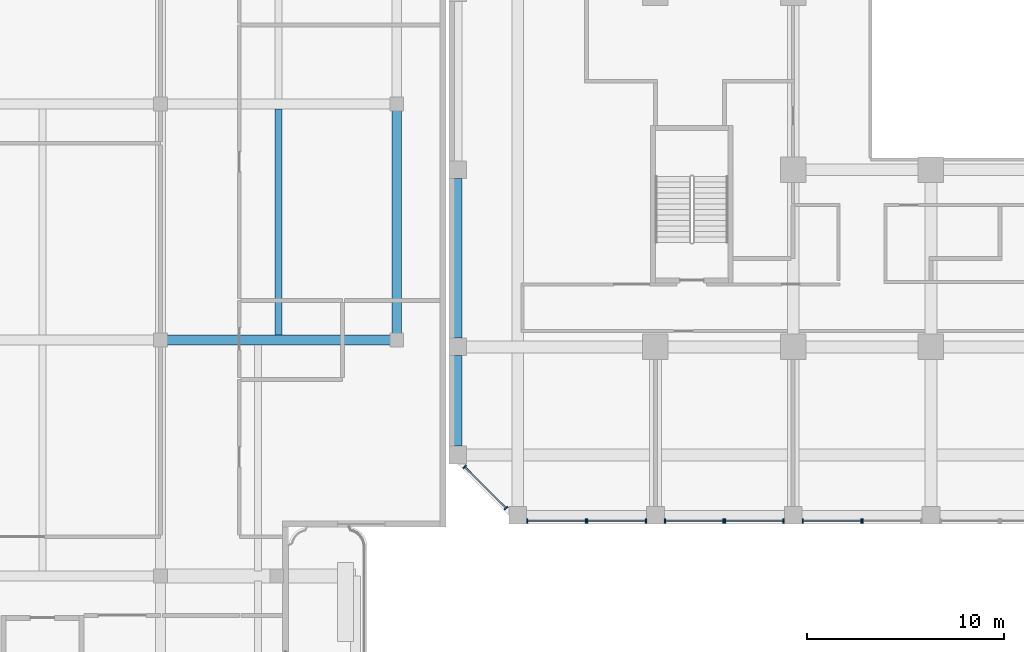
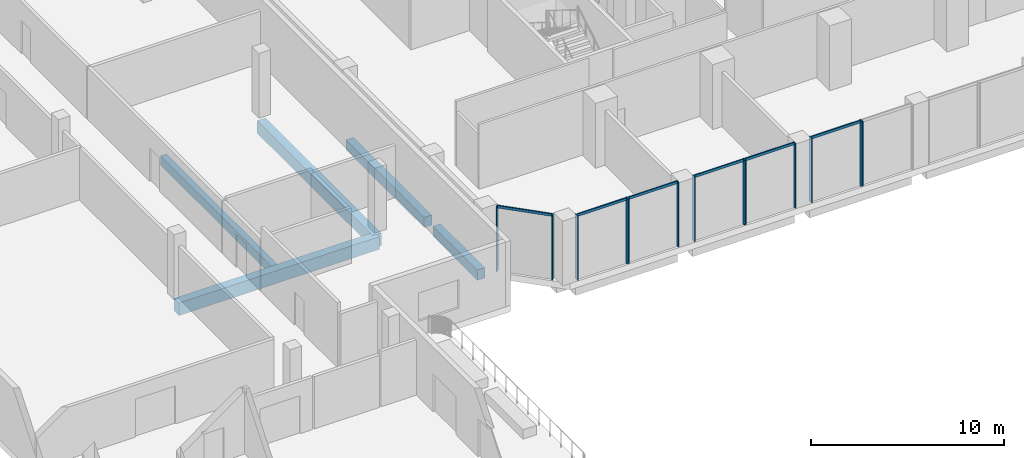
# One storey, part 2 of 36: 19 members, 5 beams, 7 elements without a shape of their own.
"""IFC4 building model written with IfcOpenShell, lengths in metres."""

import ifcopenshell
import ifcopenshell.guid

model = None  # the IFC model being written
_history = None  # IfcOwnerHistory: only IFC2X3 demands one
_inside = {}  # id of a spatial element -> (the spatial element, [elements in it])
_under = {}  # id of a project, library or spatial element -> (it, [spatial elements below it])
_declared = {}  # id of a project -> (the project, [libraries it declares])
_typed = {}  # id of a type object -> (the type object, [elements of that type])
_made_of = {}  # id of a material, layer set ... -> (it, [elements and type objects made of it])


def new_model(schema):
    """Start an empty IFC model of exactly this schema.

    Asked for "IFC4X3", IfcOpenShell would pick the latest addendum, in which some entities
    have other attributes; the version numbers below select the first issue.
    IFC2X3 requires an IfcOwnerHistory on every rooted entity: one is made here for all.
    """
    global model, _history
    if schema == "IFC4X3":
        model = ifcopenshell.file(schema_version=(4, 3, 0, 0))
    else:
        model = ifcopenshell.file(schema=schema)
    _inside.clear()
    _under.clear()
    _declared.clear()
    _typed.clear()
    _made_of.clear()
    _history = None
    if model.schema == "IFC2X3":
        org = make("IfcOrganization", Name="unknown")
        user = make(
            "IfcPersonAndOrganization",
            ThePerson=make("IfcPerson", FamilyName="unknown"),
            TheOrganization=org,
        )
        app = make(
            "IfcApplication",
            ApplicationDeveloper=org,
            Version="unknown",
            ApplicationFullName="unknown",
            ApplicationIdentifier="unknown",
        )
        _history = make(
            "IfcOwnerHistory",
            OwningUser=user,
            OwningApplication=app,
            ChangeAction="ADDED",
            CreationDate=0,
        )
    return model


def make(cls, **values):
    """One entity of the class cls with the attributes given. An attribute that is None is left unset."""
    return model.create_entity(
        cls, **{name: value for name, value in values.items() if value is not None}
    )


def rooted(cls, **values):
    """An entity with a GlobalId (a new one), such as an element, a storey or a relation."""
    return make(cls, GlobalId=ifcopenshell.guid.new(), OwnerHistory=_history, **values)


def si_unit(unit_type, name, prefix=None):
    """IfcSIUnit, for example si_unit("LENGTHUNIT", "METRE", prefix="MILLI")."""
    return make("IfcSIUnit", UnitType=unit_type, Prefix=prefix, Name=name)


def assignment(units):
    """IfcUnitAssignment: the units of a project."""
    return None if units is None else make("IfcUnitAssignment", Units=units)


def point(xyz):
    """IfcCartesianPoint."""
    return None if xyz is None else make("IfcCartesianPoint", Coordinates=xyz)


def direction(xyz):
    """IfcDirection."""
    return None if xyz is None else make("IfcDirection", DirectionRatios=xyz)


def frame(location, z_axis=None, x_axis=None):
    """IfcAxis2Placement3D, a coordinate frame: its origin and axes. An axis left out is left unset."""
    return make(
        "IfcAxis2Placement3D",
        Location=point(location),
        Axis=direction(z_axis),
        RefDirection=direction(x_axis),
    )


def frame_2d(location, x_axis=None):
    """IfcAxis2Placement2D, a coordinate frame in the plane: its origin and x axis."""
    return make(
        "IfcAxis2Placement2D", Location=point(location), RefDirection=direction(x_axis)
    )


def origin():
    """The frame at (0, 0, 0) with its axes left unset."""
    return frame((0.0, 0.0, 0.0))


def origin_2d():
    """The frame at (0, 0) in the plane with its x axis left unset."""
    return frame_2d((0.0, 0.0))


def place(relative_to, where):
    """IfcLocalPlacement: puts the frame where relative to a parent placement (None: the world)."""
    return make(
        "IfcLocalPlacement", PlacementRelTo=relative_to, RelativePlacement=where
    )


def context(
    kind, dimensions, precision=None, world=None, true_north=None, identifier=None
):
    """IfcGeometricRepresentationContext, for example the 3D "Model" context."""
    return make(
        "IfcGeometricRepresentationContext",
        ContextIdentifier=identifier,
        ContextType=kind,
        CoordinateSpaceDimension=dimensions,
        Precision=precision,
        WorldCoordinateSystem=world,
        TrueNorth=true_north,
    )


def subcontext(parent, identifier, kind, view, scale=None):
    """IfcGeometricRepresentationSubContext, for example "Body" below "Model"."""
    return make(
        "IfcGeometricRepresentationSubContext",
        ContextIdentifier=identifier,
        ContextType=kind,
        ParentContext=parent,
        TargetScale=scale,
        TargetView=view,
    )


def project(units=None, contexts=None):
    """IfcProject with its units and contexts."""
    return rooted(
        "IfcProject",
        Name="project",
        RepresentationContexts=contexts,
        UnitsInContext=assignment(units),
    )


def spatial(cls, under=None, at=None, **own):
    """A site, building, storey or space (cls), placed at a placement, below another one or the project."""
    s = rooted(cls, ObjectPlacement=at, **own)
    if under is not None:
        _under.setdefault(under.id(), (under, []))[1].append(s)
    return s


def profile(cls, at=None, kind="AREA", **sizes):
    """A parametric profile (cls). Its sizes go by their IFC names, for example OverallWidth=200.0."""
    return make(cls, ProfileType=kind, Position=at, **sizes)


def rectangle(**sizes):
    """IfcRectangleProfileDef."""
    return profile("IfcRectangleProfileDef", **sizes)


def extrude(swept, where, along, depth):
    """IfcExtrudedAreaSolid: the profile swept, set in the frame where, extruded along a direction by depth."""
    return make(
        "IfcExtrudedAreaSolid",
        SweptArea=swept,
        Position=where,
        ExtrudedDirection=direction(along),
        Depth=depth,
    )


def shape(context_of_items, identifier, shape_type, items):
    """IfcShapeRepresentation: the items that make up one representation, for example the "Body"."""
    return make(
        "IfcShapeRepresentation",
        ContextOfItems=context_of_items,
        RepresentationIdentifier=identifier,
        RepresentationType=shape_type,
        Items=items,
    )


def source(mapping_origin, context_of_items, identifier, shape_type, items):
    """IfcRepresentationMap: a shape defined once, which mapped items show again and again."""
    return make(
        "IfcRepresentationMap",
        MappingOrigin=mapping_origin,
        MappedRepresentation=shape(context_of_items, identifier, shape_type, items),
    )


def transform(
    local_origin,
    x_axis=None,
    y_axis=None,
    z_axis=None,
    scale=None,
    scale2=None,
    scale3=None,
    uniform=True,
):
    """IfcCartesianTransformationOperator3D, or its non-uniform kind. x_axis, y_axis, z_axis: its Axis1, 2, 3."""
    if uniform:
        return make(
            "IfcCartesianTransformationOperator3D",
            Axis1=direction(x_axis),
            Axis2=direction(y_axis),
            LocalOrigin=point(local_origin),
            Scale=scale,
            Axis3=direction(z_axis),
        )
    return make(
        "IfcCartesianTransformationOperator3DnonUniform",
        Axis1=direction(x_axis),
        Axis2=direction(y_axis),
        LocalOrigin=point(local_origin),
        Scale=scale,
        Axis3=direction(z_axis),
        Scale2=scale2,
        Scale3=scale3,
    )


def mapped(mapping_source, mapping_target):
    """IfcMappedItem: shows the shape of a source again, moved by a transform."""
    return make(
        "IfcMappedItem", MappingSource=mapping_source, MappingTarget=mapping_target
    )


def material(Name=None, Category=None):
    """IfcMaterial."""
    return make("IfcMaterial", Name=Name, Category=Category)


def material_profile(
    of_material, cross_section, Name=None, Category=None, Priority=None
):
    """IfcMaterialProfile: a cross section and its material."""
    return make(
        "IfcMaterialProfile",
        Name=Name,
        Material=of_material,
        Profile=cross_section,
        Priority=Priority,
        Category=Category,
    )


def profile_set(profiles, Name=None, composite=None):
    """IfcMaterialProfileSet."""
    return make(
        "IfcMaterialProfileSet",
        Name=Name,
        MaterialProfiles=profiles,
        CompositeProfile=composite,
    )


def made_of(thing, what):
    """Note that an element or type object is made of a material, layer set ...; save() writes the relation."""
    if what is not None:
        _made_of.setdefault(what.id(), (what, []))[1].append(thing)
    return thing


def type_object(cls, material=None, **own):
    """A type object (cls), such as IfcWallType, which elements share."""
    return made_of(rooted(cls, **own), material)


def element(
    cls,
    number,
    at=None,
    inside=None,
    cuts=None,
    type_object=None,
    material=None,
    context=None,
    identifier="Body",
    shape_type=None,
    held_by="IfcProductDefinitionShape",
    body=None,
    shapes=None,
    **own,
):
    """One element of the class cls, such as IfcWall. Its Tag is "e" and its number.

    at: its placement. inside: the storey or other place that contains it. cuts: it is an
    opening in that element (IfcRelVoidsElement). A single representation is given by context,
    identifier, shape_type and body (its items); several are given by shapes. held_by: the class
    of the entity that holds the representations. save() writes the other relations.
    """
    e = rooted(cls, Tag="e%d" % number, ObjectPlacement=at, **own)
    if body is not None:
        shapes = [shape(context, identifier, shape_type, body)]
    if shapes is not None:
        e.Representation = make(held_by, Representations=shapes)
    if inside is not None:
        _inside.setdefault(inside.id(), (inside, []))[1].append(e)
    if cuts is not None:
        rooted(
            "IfcRelVoidsElement", RelatingBuildingElement=cuts, RelatedOpeningElement=e
        )
    if type_object is not None:
        _typed.setdefault(type_object.id(), (type_object, []))[1].append(e)
    return made_of(e, material)


def aggregate(whole, parts):
    """IfcRelAggregates: a whole, such as a stair, and the parts it consists of."""
    return rooted("IfcRelAggregates", RelatingObject=whole, RelatedObjects=parts)


def save(model, path):
    """Write the relations noted so far, then the file.

    IfcRelAggregates (storeys below a building ...), IfcRelContainedInSpatialStructure (elements
    in a storey), IfcRelDefinesByType, IfcRelAssociatesMaterial and IfcRelDeclares: one each for
    every whole, place, type object, material and project.
    """
    for whole, parts in _under.values():
        aggregate(whole, parts)
    for where, things in _inside.values():
        rooted(
            "IfcRelContainedInSpatialStructure",
            RelatedElements=things,
            RelatingStructure=where,
        )
    for kind, things in _typed.values():
        rooted("IfcRelDefinesByType", RelatedObjects=things, RelatingType=kind)
    for what, things in _made_of.values():
        rooted("IfcRelAssociatesMaterial", RelatedObjects=things, RelatingMaterial=what)
    for by, libraries in _declared.values():
        rooted("IfcRelDeclares", RelatingContext=by, RelatedDefinitions=libraries)
    model.write(path)


model = new_model("IFC4")

# Units and contexts
model_context = context("Model", 3, precision=1e-05, world=origin(), true_north=direction((0.0, 1.0)))
body_context = subcontext(model_context, "Body", "Model", "MODEL_VIEW")
ifc_project = project(units=[si_unit("LENGTHUNIT", "METRE"), si_unit("AREAUNIT", "SQUARE_METRE"), si_unit("VOLUMEUNIT", "CUBIC_METRE"), si_unit("PLANEANGLEUNIT", "RADIAN"), si_unit("MASSUNIT", "GRAM", prefix="KILO")], contexts=[model_context])

# Site, building, storey
site_placement = place(None, origin())
site = spatial("IfcSite", under=ifc_project, at=site_placement, CompositionType="ELEMENT")
building_placement = place(site_placement, origin())
building = spatial("IfcBuilding", under=site, at=building_placement, Name="Kilnfold Tower and Market Hall", CompositionType="ELEMENT")
storey_placement = place(building_placement, frame((0.0, 0.0, 18.0)))
storey = spatial("IfcBuildingStorey", under=building, at=storey_placement, Name="L03", CompositionType="ELEMENT", Elevation=18.0)

# Beams
ifc_material_1 = material(Name="Concrete C40/50", Category="concrete")
ifc_material_profile_1 = material_profile(ifc_material_1, rectangle(XDim=0.5, YDim=0.800048828125, at=origin_2d()), Name="RC 500x800")
ifc_profile_set_1 = profile_set([ifc_material_profile_1], Name="Concrete C40/50")
beam_type_1 = type_object("IfcBeamType", Name="HALL GIRDER 500X800", PredefinedType="BEAM", material=ifc_profile_set_1)
for number, where, z_axis, x_axis, name in (
    (1, (-42.64990234375, -18.64990234375, -0.800048828125), (1.0, 0.0, 0.0), (0.0, 1.0, 0.0), "Beam MG2.21"),
    (2, (-30.64990234375, -18.64990234375, -0.800048828125), (0.0, 1.0, 0.0), (-1.0, 0.0, 0.0), "Beam MG2.34"),
):
    element("IfcBeam", number, at=place(storey_placement, frame(where, z_axis=z_axis, x_axis=x_axis)), inside=storey, type_object=beam_type_1, Name=name, PredefinedType="BEAM", context=body_context, shape_type="SweptSolid", body=[
        extrude(rectangle(XDim=0.5, YDim=0.800048828125, at=origin_2d()), origin(), (0.0, 0.0, 1.0), 12.0),
    ])
ifc_material_2 = material(Name="Concrete C40/50", Category="concrete")
ifc_material_profile_2 = material_profile(ifc_material_2, rectangle(XDim=0.35009765625, YDim=0.60009765625, at=origin_2d()), Name="RC 350x600")
ifc_profile_set_2 = profile_set([ifc_material_profile_2], Name="Concrete C40/50")
beam_type_2 = type_object("IfcBeamType", Name="HALL JOIST 350X600", PredefinedType="BEAM", material=ifc_profile_set_2)
beam_1_placement = place(storey_placement, frame((-36.64990234375, -18.39990234375, -0.699951171875), z_axis=(0.0, 1.0, 0.0), x_axis=(-1.0, 0.0, 0.0)))
element("IfcBeam", 3, at=beam_1_placement, inside=storey, type_object=beam_type_2, Name="Beam MJ1.5", PredefinedType="BEAM", context=body_context, shape_type="SweptSolid", body=[
    extrude(rectangle(XDim=0.35009765625, YDim=0.60009765625, at=origin_2d()), origin(), (0.0, 0.0, 1.0), 11.5),
])
ifc_material_3 = material(Name="Concrete C45", Category="concrete")
ifc_material_profile_3 = material_profile(ifc_material_3, rectangle(XDim=0.449951171875, YDim=0.64990234375, at=origin_2d()), Name="RC 450x650")
ifc_profile_set_3 = profile_set([ifc_material_profile_3], Name="Concrete C45")
beam_type_3 = type_object("IfcBeamType", Name="EDGE BEAM 450X650 C45", PredefinedType="BEAM", material=ifc_profile_set_3)
shared_shape_1 = source(origin(), body_context, "Body", "SweptSolid", [
    extrude(rectangle(XDim=0.449951171875, YDim=0.64990234375, at=origin_2d()), origin(), (0.0, 0.0, 1.0), 4.60009765625),
])
beam_2_placement = place(storey_placement, frame((-27.550048828125, -24.050048828125, -0.72509765625), z_axis=(0.0, 1.0, 0.0), x_axis=(-1.0, 0.0, 0.0)))
element("IfcBeam", 4, at=beam_2_placement, inside=storey, type_object=beam_type_3, Name="Beam EB650-B1.30", PredefinedType="BEAM", context=body_context, shape_type="MappedRepresentation", body=[
    mapped(shared_shape_1, transform((0.0, 0.0, 0.0))),
])
shared_shape_2 = source(origin(), body_context, "Body", "SweptSolid", [
    extrude(rectangle(XDim=0.449951171875, YDim=0.64990234375, at=origin_2d()), origin(), (0.0, 0.0, 1.0), 8.10009765625),
])
beam_3_placement = place(storey_placement, frame((-27.550048828125, -18.550048828125, -0.72509765625), z_axis=(0.0, 1.0, 0.0), x_axis=(-1.0, 0.0, 0.0)))
element("IfcBeam", 5, at=beam_3_placement, inside=storey, type_object=beam_type_3, Name="Beam EB650-B1.31", PredefinedType="BEAM", context=body_context, shape_type="MappedRepresentation", body=[
    mapped(shared_shape_2, transform((0.0, 0.0, 0.0))),
])

# Curtain wall, members
ifc_material_4 = material(Name="Aluminium and double glazing", Category="aluminium")
curtain_wall_type = type_object("IfcCurtainWallType", Name="CW BASE PODIUM GLAZING", PredefinedType="NOTDEFINED", material=ifc_material_4)
curtain_wall_1_placement = place(storey_placement, origin())
curtain_wall_1 = element("IfcCurtainWall", 6, at=curtain_wall_1_placement, inside=storey, type_object=curtain_wall_type, Name="Curtain wall CW4 L03 S", PredefinedType="NOTDEFINED")
ifc_material_5 = material(Name="Aluminium", Category="aluminium")
ifc_material_profile_4 = material_profile(ifc_material_5, rectangle(XDim=0.070068359375, YDim=0.219970703125, at=origin_2d()), Name="MULLION 70x220")
ifc_profile_set_4 = profile_set([ifc_material_profile_4], Name="Aluminium")
member_type_1 = type_object("IfcMemberType", Name="MULLION 70X220", PredefinedType="MULLION", material=ifc_profile_set_4)
shared_shape_3 = source(origin(), body_context, "Body", "SweptSolid", [
    extrude(rectangle(XDim=0.070068359375, YDim=0.219970703125, at=origin_2d()), origin(), (0.0, 0.0, 1.0), 4.10009765625),
])
member_1_placement = place(storey_placement, frame((-24.014892578125, -27.85009765625, 0.0), z_axis=(0.0, 0.0, 1.0), x_axis=(1.0, 0.0, 0.0)))
member_1 = element("IfcMember", 7, at=member_1_placement, type_object=member_type_1, Name="CW4 mullion 1", PredefinedType="MULLION", context=body_context, shape_type="MappedRepresentation", body=[
    mapped(shared_shape_3, transform((0.0, 0.0, 0.0))),
])
member_2_placement = place(storey_placement, frame((-21.034912109375, -27.85009765625, 0.0), z_axis=(0.0, 0.0, 1.0), x_axis=(1.0, 0.0, 0.0)))
member_2 = element("IfcMember", 8, at=member_2_placement, type_object=member_type_1, Name="CW4 mullion 2", PredefinedType="MULLION", context=body_context, shape_type="MappedRepresentation", body=[
    mapped(shared_shape_3, transform((0.0, 0.0, 0.0))),
])

curtain_wall_2_placement = place(storey_placement, origin())
curtain_wall_2 = element("IfcCurtainWall", 9, at=curtain_wall_2_placement, inside=storey, type_object=curtain_wall_type, Name="Curtain wall CW4 L03 S", PredefinedType="NOTDEFINED")
member_3_placement = place(storey_placement, frame((-20.965087890625, -27.85009765625, 0.0), z_axis=(0.0, 0.0, 1.0), x_axis=(1.0, 0.0, 0.0)))
member_3 = element("IfcMember", 10, at=member_3_placement, type_object=member_type_1, Name="CW4 mullion 1", PredefinedType="MULLION", context=body_context, shape_type="MappedRepresentation", body=[
    mapped(shared_shape_3, transform((0.0, 0.0, 0.0))),
])
member_4_placement = place(storey_placement, frame((-17.985107421875, -27.85009765625, 0.0), z_axis=(0.0, 0.0, 1.0), x_axis=(1.0, 0.0, 0.0)))
member_4 = element("IfcMember", 11, at=member_4_placement, type_object=member_type_1, Name="CW4 mullion 2", PredefinedType="MULLION", context=body_context, shape_type="MappedRepresentation", body=[
    mapped(shared_shape_3, transform((0.0, 0.0, 0.0))),
])

curtain_wall_3_placement = place(storey_placement, origin())
curtain_wall_3 = element("IfcCurtainWall", 12, at=curtain_wall_3_placement, inside=storey, type_object=curtain_wall_type, Name="Curtain wall CW4 L03 S", PredefinedType="NOTDEFINED")
member_5_placement = place(storey_placement, frame((-17.014892578125, -27.85009765625, 0.0), z_axis=(0.0, 0.0, 1.0), x_axis=(1.0, 0.0, 0.0)))
member_5 = element("IfcMember", 13, at=member_5_placement, type_object=member_type_1, Name="CW4 mullion 1", PredefinedType="MULLION", context=body_context, shape_type="MappedRepresentation", body=[
    mapped(shared_shape_3, transform((0.0, 0.0, 0.0))),
])
member_6_placement = place(storey_placement, frame((-14.034912109375, -27.85009765625, 0.0), z_axis=(0.0, 0.0, 1.0), x_axis=(1.0, 0.0, 0.0)))
member_6 = element("IfcMember", 14, at=member_6_placement, type_object=member_type_1, Name="CW4 mullion 2", PredefinedType="MULLION", context=body_context, shape_type="MappedRepresentation", body=[
    mapped(shared_shape_3, transform((0.0, 0.0, 0.0))),
])

curtain_wall_4_placement = place(storey_placement, origin())
curtain_wall_4 = element("IfcCurtainWall", 15, at=curtain_wall_4_placement, inside=storey, type_object=curtain_wall_type, Name="Curtain wall CW4 L03 S", PredefinedType="NOTDEFINED")
member_7_placement = place(storey_placement, frame((-13.965087890625, -27.85009765625, 0.0), z_axis=(0.0, 0.0, 1.0), x_axis=(1.0, 0.0, 0.0)))
member_7 = element("IfcMember", 16, at=member_7_placement, type_object=member_type_1, Name="CW4 mullion 1", PredefinedType="MULLION", context=body_context, shape_type="MappedRepresentation", body=[
    mapped(shared_shape_3, transform((0.0, 0.0, 0.0))),
])
member_8_placement = place(storey_placement, frame((-10.985107421875, -27.85009765625, 0.0), z_axis=(0.0, 0.0, 1.0), x_axis=(1.0, 0.0, 0.0)))
member_8 = element("IfcMember", 17, at=member_8_placement, type_object=member_type_1, Name="CW4 mullion 2", PredefinedType="MULLION", context=body_context, shape_type="MappedRepresentation", body=[
    mapped(shared_shape_3, transform((0.0, 0.0, 0.0))),
])

curtain_wall_5_placement = place(storey_placement, origin())
curtain_wall_5 = element("IfcCurtainWall", 18, at=curtain_wall_5_placement, inside=storey, type_object=curtain_wall_type, Name="Curtain wall CW4 L03 S", PredefinedType="NOTDEFINED")
member_9_placement = place(storey_placement, frame((-10.014892578125, -27.85009765625, 0.0), z_axis=(0.0, 0.0, 1.0), x_axis=(1.0, 0.0, 0.0)))
member_9 = element("IfcMember", 19, at=member_9_placement, type_object=member_type_1, Name="CW4 mullion 1", PredefinedType="MULLION", context=body_context, shape_type="MappedRepresentation", body=[
    mapped(shared_shape_3, transform((0.0, 0.0, 0.0))),
])
member_10_placement = place(storey_placement, frame((-7.034912109375, -27.85009765625, 0.0), z_axis=(0.0, 0.0, 1.0), x_axis=(1.0, 0.0, 0.0)))
member_10 = element("IfcMember", 20, at=member_10_placement, type_object=member_type_1, Name="CW4 mullion 2", PredefinedType="MULLION", context=body_context, shape_type="MappedRepresentation", body=[
    mapped(shared_shape_3, transform((0.0, 0.0, 0.0))),
])

# Curtain wall, member
curtain_wall_6_placement = place(storey_placement, origin())
curtain_wall_6 = element("IfcCurtainWall", 21, at=curtain_wall_6_placement, inside=storey, type_object=curtain_wall_type, Name="Curtain wall CW4 L03 S", PredefinedType="NOTDEFINED")
member_11_placement = place(storey_placement, frame((-6.965087890625, -27.85009765625, 0.0), z_axis=(0.0, 0.0, 1.0), x_axis=(1.0, 0.0, 0.0)))
member_11 = element("IfcMember", 22, at=member_11_placement, type_object=member_type_1, Name="CW4 mullion 1", PredefinedType="MULLION", context=body_context, shape_type="MappedRepresentation", body=[
    mapped(shared_shape_3, transform((0.0, 0.0, 0.0))),
])
aggregate(curtain_wall_6, [member_11])

# Curtain wall, members
curtain_wall_7_placement = place(storey_placement, origin())
curtain_wall_7 = element("IfcCurtainWall", 23, at=curtain_wall_7_placement, inside=storey, type_object=curtain_wall_type, Name="Curtain wall CW4 L03 SW", PredefinedType="NOTDEFINED")
member_12_placement = place(storey_placement, frame((-27.194091796875, -25.09375, 0.0), z_axis=(0.0, 0.0, 1.0), x_axis=(0.707090337034, -0.707123224957, 0.0)))
member_12 = element("IfcMember", 24, at=member_12_placement, type_object=member_type_1, Name="CW4 mullion 1", PredefinedType="MULLION", context=body_context, shape_type="MappedRepresentation", body=[
    mapped(shared_shape_3, transform((0.0, 0.0, 0.0))),
])
member_13_placement = place(storey_placement, frame((-25.09375, -27.1943359375, 0.0), z_axis=(0.0, 0.0, 1.0), x_axis=(0.707090337034, -0.707123224957, 0.0)))
member_13 = element("IfcMember", 25, at=member_13_placement, type_object=member_type_1, Name="CW4 mullion 2", PredefinedType="MULLION", context=body_context, shape_type="MappedRepresentation", body=[
    mapped(shared_shape_3, transform((0.0, 0.0, 0.0))),
])

# Member
ifc_material_6 = material(Name="Aluminium", Category="aluminium")
ifc_material_profile_5 = material_profile(ifc_material_6, rectangle(XDim=0.070068359375, YDim=0.159912109375, at=origin_2d()), Name="TRANSOM 70x160")
ifc_profile_set_5 = profile_set([ifc_material_profile_5], Name="Aluminium")
member_type_2 = type_object("IfcMemberType", Name="TRANSOM 70X160", PredefinedType="USERDEFINED", material=ifc_profile_set_5)
shared_shape_4 = source(origin(), body_context, "Body", "SweptSolid", [
    extrude(rectangle(XDim=0.070068359375, YDim=0.159912109375, at=origin_2d()), origin(), (0.0, 0.0, 1.0), 2.909912109375),
])
member_14_placement = place(storey_placement, frame((-23.97998046875, -27.85009765625, 4.06494140625), z_axis=(1.0, 0.0, 0.0), x_axis=(0.0, 1.0, 0.0)))
member_14 = element("IfcMember", 26, at=member_14_placement, type_object=member_type_2, Name="CW4 transom 1.2", ObjectType="TRANSOM", PredefinedType="USERDEFINED", context=body_context, shape_type="MappedRepresentation", body=[
    mapped(shared_shape_4, transform((0.0, 0.0, 0.0))),
])

aggregate(curtain_wall_1, [member_1, member_2, member_14])

member_15_placement = place(storey_placement, frame((-20.929931640625, -27.85009765625, 4.06494140625), z_axis=(1.0, 0.0, 0.0), x_axis=(0.0, 1.0, 0.0)))
member_15 = element("IfcMember", 27, at=member_15_placement, type_object=member_type_2, Name="CW4 transom 1.2", ObjectType="TRANSOM", PredefinedType="USERDEFINED", context=body_context, shape_type="MappedRepresentation", body=[
    mapped(shared_shape_4, transform((0.0, 0.0, 0.0))),
])

aggregate(curtain_wall_2, [member_3, member_4, member_15])

member_16_placement = place(storey_placement, frame((-16.97998046875, -27.85009765625, 4.06494140625), z_axis=(1.0, 0.0, 0.0), x_axis=(0.0, 1.0, 0.0)))
member_16 = element("IfcMember", 28, at=member_16_placement, type_object=member_type_2, Name="CW4 transom 1.2", ObjectType="TRANSOM", PredefinedType="USERDEFINED", context=body_context, shape_type="MappedRepresentation", body=[
    mapped(shared_shape_4, transform((0.0, 0.0, 0.0))),
])

aggregate(curtain_wall_3, [member_5, member_6, member_16])

member_17_placement = place(storey_placement, frame((-13.929931640625, -27.85009765625, 4.06494140625), z_axis=(1.0, 0.0, 0.0), x_axis=(0.0, 1.0, 0.0)))
member_17 = element("IfcMember", 29, at=member_17_placement, type_object=member_type_2, Name="CW4 transom 1.2", ObjectType="TRANSOM", PredefinedType="USERDEFINED", context=body_context, shape_type="MappedRepresentation", body=[
    mapped(shared_shape_4, transform((0.0, 0.0, 0.0))),
])

aggregate(curtain_wall_4, [member_7, member_8, member_17])

member_18_placement = place(storey_placement, frame((-9.97998046875, -27.85009765625, 4.06494140625), z_axis=(1.0, 0.0, 0.0), x_axis=(0.0, 1.0, 0.0)))
member_18 = element("IfcMember", 30, at=member_18_placement, type_object=member_type_2, Name="CW4 transom 1.2", ObjectType="TRANSOM", PredefinedType="USERDEFINED", context=body_context, shape_type="MappedRepresentation", body=[
    mapped(shared_shape_4, transform((0.0, 0.0, 0.0))),
])

aggregate(curtain_wall_5, [member_9, member_10, member_18])

shared_shape_5 = source(origin(), body_context, "Body", "SweptSolid", [
    extrude(rectangle(XDim=0.070068359375, YDim=0.159912109375, at=origin_2d()), origin(), (0.0, 0.0, 1.0), 2.900634765625),
])
member_19_placement = place(storey_placement, frame((-27.16943359375, -25.118408203125, 4.06494140625), z_axis=(0.707106781187, -0.707106781187, 0.0), x_axis=(0.707106781187, 0.707106781187, 0.0)))
member_19 = element("IfcMember", 31, at=member_19_placement, type_object=member_type_2, Name="CW4 transom 1.2", ObjectType="TRANSOM", PredefinedType="USERDEFINED", context=body_context, shape_type="MappedRepresentation", body=[
    mapped(shared_shape_5, transform((0.0, 0.0, 0.0))),
])

aggregate(curtain_wall_7, [member_12, member_13, member_19])

save(model, "model.ifc")
